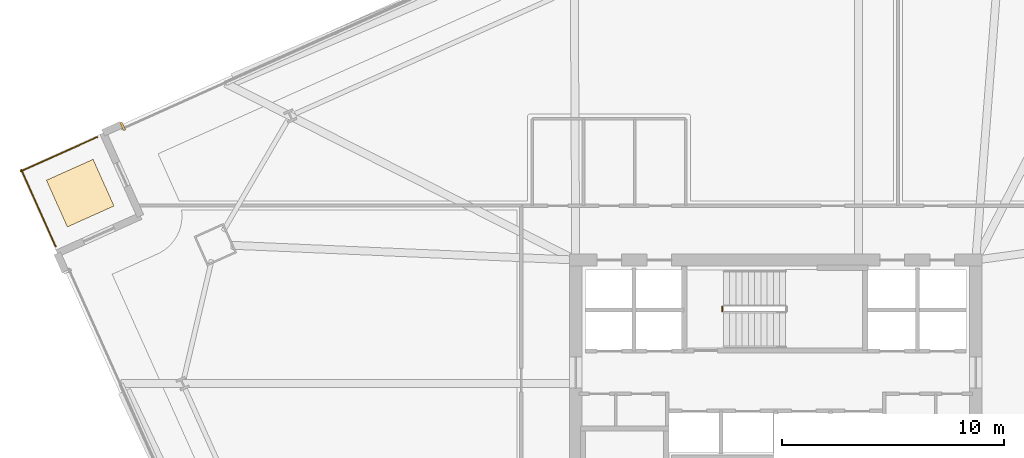
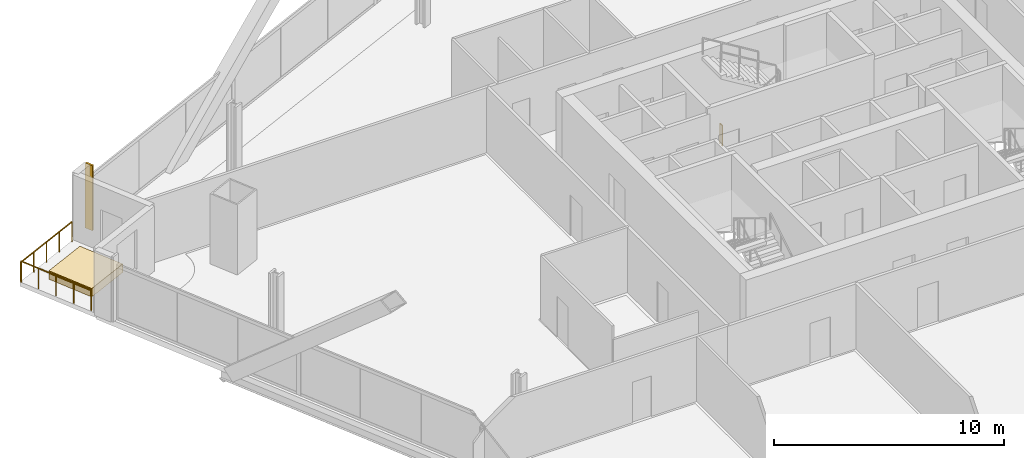
# One storey, part 35 of 38: 3 railings, 2 coverings.
"""IFC4 building model written with IfcOpenShell, lengths in metres."""

from ifc_helpers import new_model, si_unit, direction, frame, origin, origin_2d, place, context, subcontext, project, spatial, polyline, rectangle, outline, extrude, source, transform, mapped, material, layer, layer_set, type_object, element, save


model = new_model("IFC4")

# Units and contexts
model_context = context("Model", 3, precision=1e-05, world=origin(), true_north=direction((0.0, 1.0)))
body_context = subcontext(model_context, "Body", "Model", "MODEL_VIEW")
ifc_project = project(units=[si_unit("LENGTHUNIT", "METRE"), si_unit("AREAUNIT", "SQUARE_METRE"), si_unit("VOLUMEUNIT", "CUBIC_METRE"), si_unit("PLANEANGLEUNIT", "RADIAN"), si_unit("MASSUNIT", "GRAM", prefix="KILO")], contexts=[model_context])

# Site, building, storey
site_placement = place(None, origin())
site = spatial("IfcSite", under=ifc_project, at=site_placement, CompositionType="ELEMENT")
building_placement = place(site_placement, origin())
building = spatial("IfcBuilding", under=site, at=building_placement, Name="Haldenkirk Collegiate Tower", CompositionType="ELEMENT")
storey_placement = place(building_placement, frame((0.0, 0.0, 109.199951171875)))
storey = spatial("IfcBuildingStorey", under=building, at=storey_placement, Name="L26", CompositionType="ELEMENT", Elevation=109.199951171875)

# Covering
ifc_material_1 = material(Name="Precast concrete f'c 40 MPa", Category="concrete")
ifc_layer_1 = layer(ifc_material_1, 0.449951171875)
ifc_layer_set_1 = layer_set([ifc_layer_1], Name="Precast concrete f'c 40 MPa")
covering_type_1 = type_object("IfcCoveringType", Name="COV-PLANTER-450", PredefinedType="USERDEFINED", material=ifc_layer_set_1)
covering_1_placement = place(storey_placement, origin())
element("IfcCovering", 1, at=covering_1_placement, inside=storey, type_object=covering_type_1, Name="L26 planted garden planter bed", ObjectType="PLANTER", PredefinedType="USERDEFINED", context=body_context, shape_type="SweptSolid", body=[
    extrude(outline(polyline([(4.12744140625, 35.49072265625), (3.1865234375, 37.589599609375), (5.28515625, 38.530517578125), (6.226318359375, 36.431640625), (4.12744140625, 35.49072265625)])), origin(), (0.0, 0.0, 1.0), 0.449951171875),
])

# Railings
ifc_material_2 = material(Name="Painted architectural tubular steel", Category="steel")
railing_type_1 = type_object("IfcRailingType", Name="RLG-STAIR-GUARD-1100", PredefinedType="BALUSTRADE", material=ifc_material_2)
railing_1_placement = place(storey_placement, frame((33.60009765625, 31.699951171875, 0.0)))
element("IfcRailing", 2, at=railing_1_placement, inside=storey, type_object=railing_type_1, Name="L26 ST-3 stair guard 4", PredefinedType="BALUSTRADE", context=body_context, shape_type="SweptSolid", body=[
    extrude(rectangle(XDim=0.048095703125, YDim=0.048095703125, at=origin_2d()), frame((0.0, 0.0, 1.076171875), z_axis=(0.0, 1.0, 0.0), x_axis=(-1.0, 0.0, 0.0)), (0.0, 0.0, 1.0), 0.199951171875),
    extrude(rectangle(XDim=0.0419921875, YDim=0.0419921875, at=origin_2d()), origin(), (0.0, 0.0, 1.0), 1.052001953125),
    extrude(rectangle(XDim=0.0419921875, YDim=0.0419921875, at=origin_2d()), frame((0.0, 0.199951171875, 0.0)), (0.0, 0.0, 1.0), 1.052001953125),
])
ifc_material_3 = material(Name="Anodised architectural bronze aluminium", Category="aluminium")
railing_type_2 = type_object("IfcRailingType", Name="RLG-TERR-BALUSTRADE-1100", PredefinedType="BALUSTRADE", material=ifc_material_3)
railing_2_placement = place(storey_placement, frame((5.470703125, 39.5341796875, 0.0)))
element("IfcRailing", 3, at=railing_2_placement, inside=storey, type_object=railing_type_2, Name="L26 terrace guard balustrade 3-1", PredefinedType="BALUSTRADE", context=body_context, shape_type="SweptSolid", body=[
    extrude(rectangle(XDim=0.048095703125, YDim=0.048095703125, at=origin_2d()), frame((0.0, 0.0, 1.076171875), z_axis=(-0.912491034493, -0.409096702469, 0.0), x_axis=(0.409096702469, -0.912491034493, 0.0)), (0.0, 0.0, 1.0), 3.780029296875),
    extrude(rectangle(XDim=0.0419921875, YDim=0.0419921875, at=origin_2d()), origin(), (0.0, 0.0, 1.0), 1.052001953125),
    extrude(rectangle(XDim=0.0419921875, YDim=0.0419921875, at=origin_2d()), frame((-0.8623046875, -0.38671875, 0.0)), (0.0, 0.0, 1.0), 1.052001953125),
    extrude(rectangle(XDim=0.0419921875, YDim=0.0419921875, at=origin_2d()), frame((-1.724609375, -0.773193359375, 0.0)), (0.0, 0.0, 1.0), 1.052001953125),
    extrude(rectangle(XDim=0.0419921875, YDim=0.0419921875, at=origin_2d()), frame((-2.5869140625, -1.15966796875, 0.0)), (0.0, 0.0, 1.0), 1.052001953125),
    extrude(rectangle(XDim=0.0419921875, YDim=0.0419921875, at=origin_2d()), frame((-3.44921875, -1.54638671875, 0.0)), (0.0, 0.0, 1.0), 1.052001953125),
])
railing_3_placement = place(storey_placement, frame((2.0517578125, 38.06689453125, 0.0)))
element("IfcRailing", 4, at=railing_3_placement, inside=storey, type_object=railing_type_2, Name="L26 terrace guard balustrade 4-1", PredefinedType="BALUSTRADE", context=body_context, shape_type="SweptSolid", body=[
    extrude(rectangle(XDim=0.048095703125, YDim=0.048095703125, at=origin_2d()), frame((0.0, 0.0, 1.076171875), z_axis=(0.409174591864, -0.912456110382, 0.0), x_axis=(0.912456110382, 0.409174591864, 0.0)), (0.0, 0.0, 1.0), 3.77978515625),
    extrude(rectangle(XDim=0.0419921875, YDim=0.0419921875, at=origin_2d()), origin(), (0.0, 0.0, 1.0), 1.052001953125),
    extrude(rectangle(XDim=0.0419921875, YDim=0.0419921875, at=origin_2d()), frame((0.38671875, -0.8623046875, 0.0)), (0.0, 0.0, 1.0), 1.052001953125),
    extrude(rectangle(XDim=0.0419921875, YDim=0.0419921875, at=origin_2d()), frame((0.7734375, -1.724609375, 0.0)), (0.0, 0.0, 1.0), 1.052001953125),
    extrude(rectangle(XDim=0.0419921875, YDim=0.0419921875, at=origin_2d()), frame((1.159912109375, -2.586669921875, 0.0)), (0.0, 0.0, 1.0), 1.052001953125),
    extrude(rectangle(XDim=0.0419921875, YDim=0.0419921875, at=origin_2d()), frame((1.546630859375, -3.448974609375, 0.0)), (0.0, 0.0, 1.0), 1.052001953125),
])

# Covering
ifc_layer_2 = layer(ifc_material_3, 0.06005859375)
ifc_layer_set_2 = layer_set([ifc_layer_2], Name="Anodised architectural bronze aluminium")
covering_type_2 = type_object("IfcCoveringType", Name="COV-CLAD-BRONZE-60", PredefinedType="CLADDING", material=ifc_layer_set_2)
shared_shape = source(origin(), body_context, "Body", "SweptSolid", [
    extrude(rectangle(XDim=0.10009765625, YDim=0.3798828125, at=origin_2d()), origin(), (0.0, 0.0, 1.0), 3.449951171875),
])
covering_2_placement = place(storey_placement, frame((6.62353515625, 40.018310546875, 0.0), z_axis=(0.0, 0.0, 1.0), x_axis=(0.912477494148, 0.409126902895, 0.0)))
element("IfcCovering", 5, at=covering_2_placement, inside=storey, type_object=covering_type_2, Name="L26 recessed curtain-wall bronze jamb closure NJL", PredefinedType="CLADDING", context=body_context, shape_type="MappedRepresentation", body=[
    mapped(shared_shape, transform((0.0, 0.0, 0.0), x_axis=(1.0, 0.0, 0.0), y_axis=(0.0, 1.0, 0.0), z_axis=(0.0, 0.0, 1.0), scale=1.0)),
])

save(model, "model.ifc")
